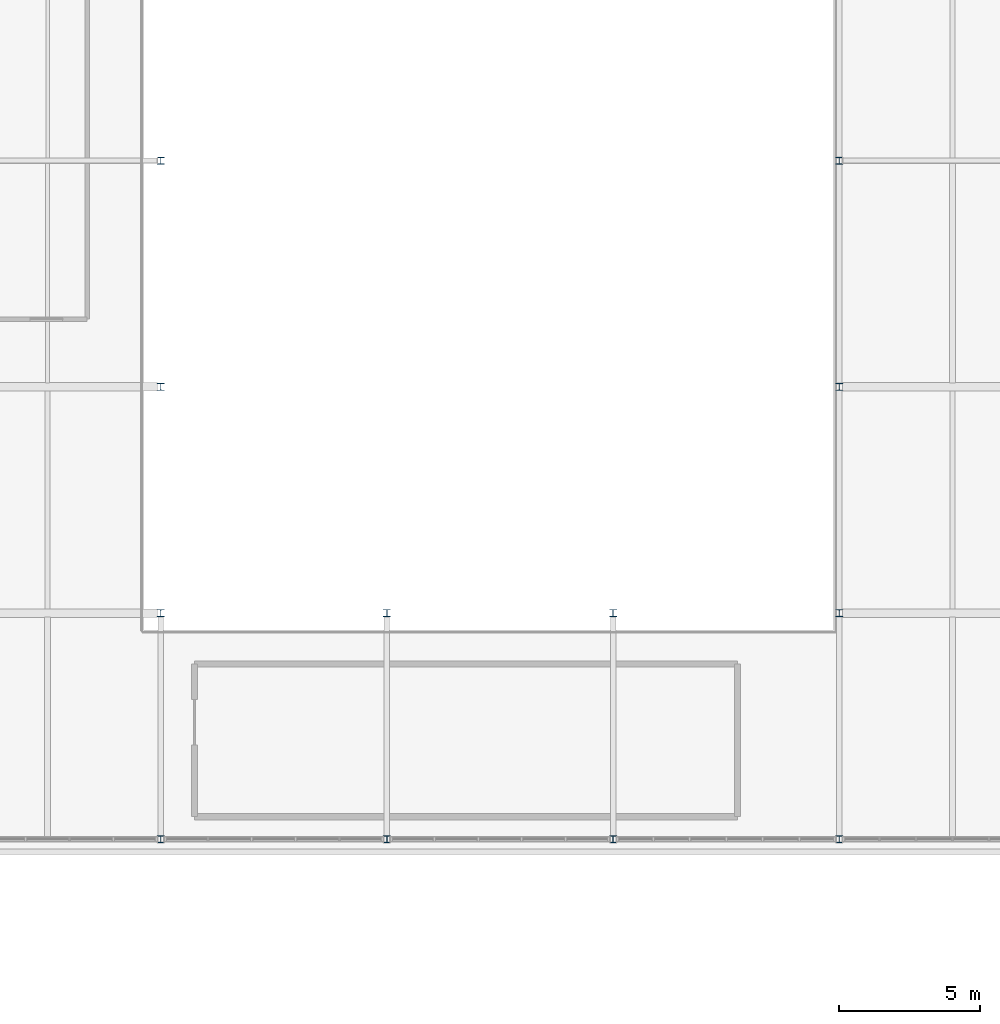
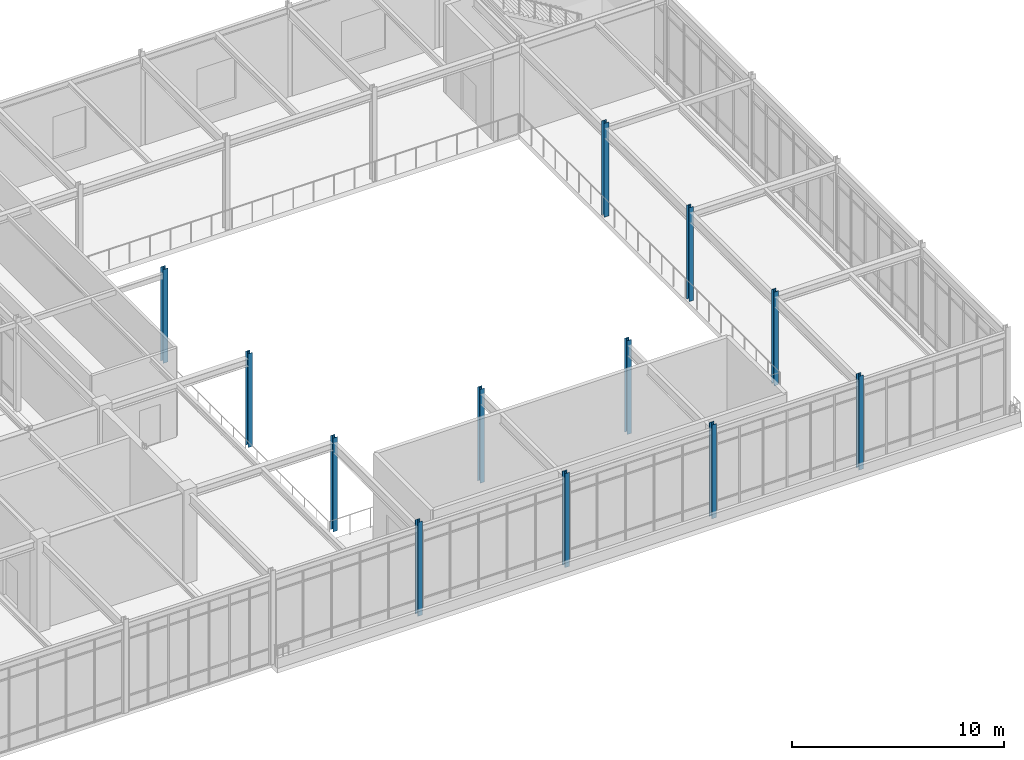
# One storey, part 20 of 184: 12 columns.
"""IFC4 building model written with IfcOpenShell, lengths in metres."""

from ifc_helpers import new_model, si_unit, direction, frame, origin, origin_2d, place, context, subcontext, project, spatial, i_section, extrude, material, material_profile, profile_set, type_object, element, save


model = new_model("IFC4")

# Units and contexts
model_context = context("Model", 3, precision=1e-05, world=origin(), true_north=direction((0.0, 1.0)))
body_context = subcontext(model_context, "Body", "Model", "MODEL_VIEW")
ifc_project = project(units=[si_unit("LENGTHUNIT", "METRE"), si_unit("AREAUNIT", "SQUARE_METRE"), si_unit("VOLUMEUNIT", "CUBIC_METRE"), si_unit("PLANEANGLEUNIT", "RADIAN"), si_unit("MASSUNIT", "GRAM", prefix="KILO")], contexts=[model_context])

# Site, building, storey
site_placement = place(None, origin())
site = spatial("IfcSite", under=ifc_project, at=site_placement, CompositionType="ELEMENT")
building_placement = place(site_placement, origin())
building = spatial("IfcBuilding", under=site, at=building_placement, Name="Zhaolan Boulevard Law Courts", CompositionType="ELEMENT")
storey_placement = place(building_placement, frame((0.0, 0.0, 5.39990234375)))
storey = spatial("IfcBuildingStorey", under=building, at=storey_placement, Name="L01", CompositionType="ELEMENT", Elevation=5.39990234375)

# Columns
ifc_material = material(Name="Structural steel Q355B", Category="steel")
ifc_material_profile = material_profile(ifc_material, i_section(OverallWidth=0.25, OverallDepth=0.25, WebThickness=0.009033203125, FlangeThickness=0.013916015625, FilletRadius=0.01611328125, at=origin_2d()), Name="HW250x250")
ifc_profile_set = profile_set([ifc_material_profile], Name="Structural steel Q355B")
column_type = type_object("IfcColumnType", Name="COL HW250", PredefinedType="COLUMN", material=ifc_profile_set)
for number, where, z_axis, x_axis, name in (
    (1, (132.0, 6.0, 0.0), (0.0, 0.0, 1.0), (1.0, 0.0, 0.0), "Column C-17B (L01)"),
    (2, (132.0, 14.0, 0.0), (0.0, 0.0, 1.0), (1.0, 0.0, 0.0), "Column C-17C (L01)"),
    (3, (132.0, 22.0, 0.0), (0.0, 0.0, 1.0), (1.0, 0.0, 0.0), "Column C-17D (L01)"),
    (4, (132.0, 30.0, 0.0), (0.0, 0.0, 1.0), (1.0, 0.0, 0.0), "Column C-17E (L01)"),
    (5, (140.0, 6.0, 0.0), (0.0, 0.0, 1.0), (1.0, 0.0, 0.0), "Column C-18B (L01)"),
    (6, (140.0, 14.0, 0.0), (0.0, 0.0, 1.0), (1.0, 0.0, 0.0), "Column C-18C (L01)"),
    (7, (148.0, 6.0, 0.0), (0.0, 0.0, 1.0), (1.0, 0.0, 0.0), "Column C-19B (L01)"),
    (8, (148.0, 14.0, 0.0), (0.0, 0.0, 1.0), (1.0, 0.0, 0.0), "Column C-19C (L01)"),
    (9, (156.0, 6.0, 0.0), (0.0, 0.0, 1.0), (1.0, 0.0, 0.0), "Column C-20B (L01)"),
    (10, (156.0, 14.0, 0.0), (0.0, 0.0, 1.0), (1.0, 0.0, 0.0), "Column C-20C (L01)"),
    (11, (156.0, 22.0, 0.0), (0.0, 0.0, 1.0), (1.0, 0.0, 0.0), "Column C-20D (L01)"),
    (12, (156.0, 30.0, 0.0), (0.0, 0.0, 1.0), (1.0, 0.0, 0.0), "Column C-20E (L01)"),
):
    element("IfcColumn", number, at=place(storey_placement, frame(where, z_axis=z_axis, x_axis=x_axis)), inside=storey, type_object=column_type, Name=name, PredefinedType="COLUMN", context=body_context, shape_type="SweptSolid", body=[
        extrude(i_section(OverallWidth=0.25, OverallDepth=0.25, WebThickness=0.009033203125, FlangeThickness=0.013916015625, FilletRadius=0.01611328125, at=origin_2d()), origin(), (0.0, 0.0, 1.0), 5.400146484375),
    ])

save(model, "model.ifc")
